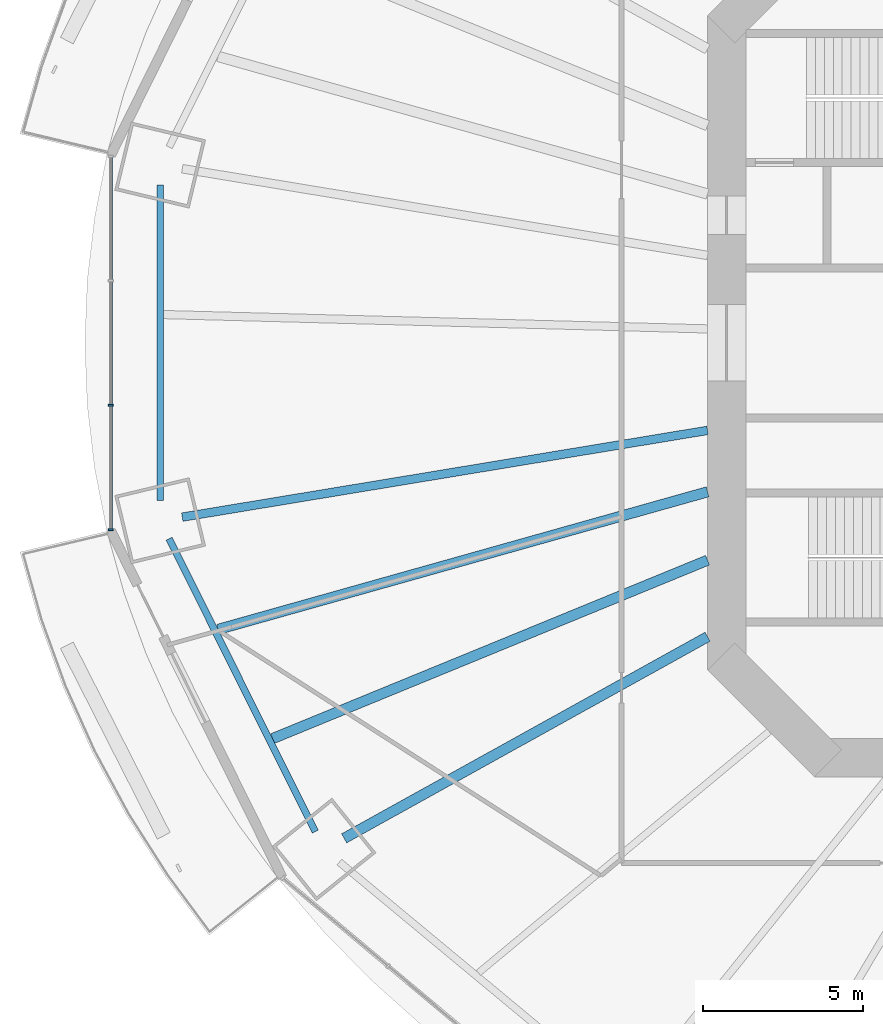
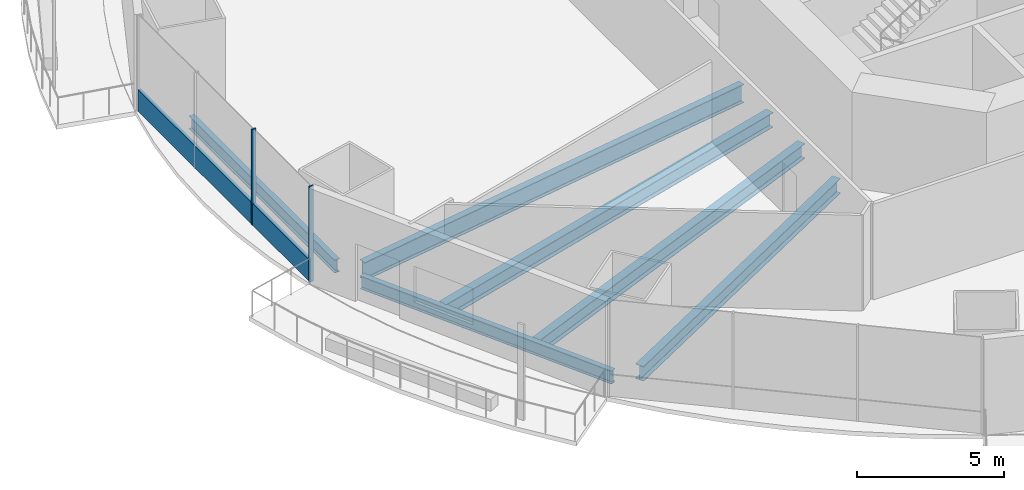
# One storey, part 3 of 23: 6 beams, 3 members, 1 element without a shape of its own.
"""IFC4 building model written with IfcOpenShell, lengths in metres."""

import ifcopenshell
import ifcopenshell.guid

model = None  # the IFC model being written
_history = None  # IfcOwnerHistory: only IFC2X3 demands one
_inside = {}  # id of a spatial element -> (the spatial element, [elements in it])
_under = {}  # id of a project, library or spatial element -> (it, [spatial elements below it])
_declared = {}  # id of a project -> (the project, [libraries it declares])
_typed = {}  # id of a type object -> (the type object, [elements of that type])
_made_of = {}  # id of a material, layer set ... -> (it, [elements and type objects made of it])


def new_model(schema):
    """Start an empty IFC model of exactly this schema.

    Asked for "IFC4X3", IfcOpenShell would pick the latest addendum, in which some entities
    have other attributes; the version numbers below select the first issue.
    IFC2X3 requires an IfcOwnerHistory on every rooted entity: one is made here for all.
    """
    global model, _history
    if schema == "IFC4X3":
        model = ifcopenshell.file(schema_version=(4, 3, 0, 0))
    else:
        model = ifcopenshell.file(schema=schema)
    _inside.clear()
    _under.clear()
    _declared.clear()
    _typed.clear()
    _made_of.clear()
    _history = None
    if model.schema == "IFC2X3":
        org = make("IfcOrganization", Name="unknown")
        user = make(
            "IfcPersonAndOrganization",
            ThePerson=make("IfcPerson", FamilyName="unknown"),
            TheOrganization=org,
        )
        app = make(
            "IfcApplication",
            ApplicationDeveloper=org,
            Version="unknown",
            ApplicationFullName="unknown",
            ApplicationIdentifier="unknown",
        )
        _history = make(
            "IfcOwnerHistory",
            OwningUser=user,
            OwningApplication=app,
            ChangeAction="ADDED",
            CreationDate=0,
        )
    return model


def make(cls, **values):
    """One entity of the class cls with the attributes given. An attribute that is None is left unset."""
    return model.create_entity(
        cls, **{name: value for name, value in values.items() if value is not None}
    )


def rooted(cls, **values):
    """An entity with a GlobalId (a new one), such as an element, a storey or a relation."""
    return make(cls, GlobalId=ifcopenshell.guid.new(), OwnerHistory=_history, **values)


def si_unit(unit_type, name, prefix=None):
    """IfcSIUnit, for example si_unit("LENGTHUNIT", "METRE", prefix="MILLI")."""
    return make("IfcSIUnit", UnitType=unit_type, Prefix=prefix, Name=name)


def assignment(units):
    """IfcUnitAssignment: the units of a project."""
    return None if units is None else make("IfcUnitAssignment", Units=units)


def point(xyz):
    """IfcCartesianPoint."""
    return None if xyz is None else make("IfcCartesianPoint", Coordinates=xyz)


def direction(xyz):
    """IfcDirection."""
    return None if xyz is None else make("IfcDirection", DirectionRatios=xyz)


def frame(location, z_axis=None, x_axis=None):
    """IfcAxis2Placement3D, a coordinate frame: its origin and axes. An axis left out is left unset."""
    return make(
        "IfcAxis2Placement3D",
        Location=point(location),
        Axis=direction(z_axis),
        RefDirection=direction(x_axis),
    )


def frame_2d(location, x_axis=None):
    """IfcAxis2Placement2D, a coordinate frame in the plane: its origin and x axis."""
    return make(
        "IfcAxis2Placement2D", Location=point(location), RefDirection=direction(x_axis)
    )


def origin():
    """The frame at (0, 0, 0) with its axes left unset."""
    return frame((0.0, 0.0, 0.0))


def origin_2d():
    """The frame at (0, 0) in the plane with its x axis left unset."""
    return frame_2d((0.0, 0.0))


def place(relative_to, where):
    """IfcLocalPlacement: puts the frame where relative to a parent placement (None: the world)."""
    return make(
        "IfcLocalPlacement", PlacementRelTo=relative_to, RelativePlacement=where
    )


def context(
    kind, dimensions, precision=None, world=None, true_north=None, identifier=None
):
    """IfcGeometricRepresentationContext, for example the 3D "Model" context."""
    return make(
        "IfcGeometricRepresentationContext",
        ContextIdentifier=identifier,
        ContextType=kind,
        CoordinateSpaceDimension=dimensions,
        Precision=precision,
        WorldCoordinateSystem=world,
        TrueNorth=true_north,
    )


def subcontext(parent, identifier, kind, view, scale=None):
    """IfcGeometricRepresentationSubContext, for example "Body" below "Model"."""
    return make(
        "IfcGeometricRepresentationSubContext",
        ContextIdentifier=identifier,
        ContextType=kind,
        ParentContext=parent,
        TargetScale=scale,
        TargetView=view,
    )


def project(units=None, contexts=None):
    """IfcProject with its units and contexts."""
    return rooted(
        "IfcProject",
        Name="project",
        RepresentationContexts=contexts,
        UnitsInContext=assignment(units),
    )


def spatial(cls, under=None, at=None, **own):
    """A site, building, storey or space (cls), placed at a placement, below another one or the project."""
    s = rooted(cls, ObjectPlacement=at, **own)
    if under is not None:
        _under.setdefault(under.id(), (under, []))[1].append(s)
    return s


def profile(cls, at=None, kind="AREA", **sizes):
    """A parametric profile (cls). Its sizes go by their IFC names, for example OverallWidth=200.0."""
    return make(cls, ProfileType=kind, Position=at, **sizes)


def rectangle(**sizes):
    """IfcRectangleProfileDef."""
    return profile("IfcRectangleProfileDef", **sizes)


def i_section(**sizes):
    """IfcIShapeProfileDef."""
    return profile("IfcIShapeProfileDef", **sizes)


def extrude(swept, where, along, depth):
    """IfcExtrudedAreaSolid: the profile swept, set in the frame where, extruded along a direction by depth."""
    return make(
        "IfcExtrudedAreaSolid",
        SweptArea=swept,
        Position=where,
        ExtrudedDirection=direction(along),
        Depth=depth,
    )


def shape(context_of_items, identifier, shape_type, items):
    """IfcShapeRepresentation: the items that make up one representation, for example the "Body"."""
    return make(
        "IfcShapeRepresentation",
        ContextOfItems=context_of_items,
        RepresentationIdentifier=identifier,
        RepresentationType=shape_type,
        Items=items,
    )


def material(Name=None, Category=None):
    """IfcMaterial."""
    return make("IfcMaterial", Name=Name, Category=Category)


def material_profile(
    of_material, cross_section, Name=None, Category=None, Priority=None
):
    """IfcMaterialProfile: a cross section and its material."""
    return make(
        "IfcMaterialProfile",
        Name=Name,
        Material=of_material,
        Profile=cross_section,
        Priority=Priority,
        Category=Category,
    )


def profile_set(profiles, Name=None, composite=None):
    """IfcMaterialProfileSet."""
    return make(
        "IfcMaterialProfileSet",
        Name=Name,
        MaterialProfiles=profiles,
        CompositeProfile=composite,
    )


def made_of(thing, what):
    """Note that an element or type object is made of a material, layer set ...; save() writes the relation."""
    if what is not None:
        _made_of.setdefault(what.id(), (what, []))[1].append(thing)
    return thing


def type_object(cls, material=None, **own):
    """A type object (cls), such as IfcWallType, which elements share."""
    return made_of(rooted(cls, **own), material)


def element(
    cls,
    number,
    at=None,
    inside=None,
    cuts=None,
    type_object=None,
    material=None,
    context=None,
    identifier="Body",
    shape_type=None,
    held_by="IfcProductDefinitionShape",
    body=None,
    shapes=None,
    **own,
):
    """One element of the class cls, such as IfcWall. Its Tag is "e" and its number.

    at: its placement. inside: the storey or other place that contains it. cuts: it is an
    opening in that element (IfcRelVoidsElement). A single representation is given by context,
    identifier, shape_type and body (its items); several are given by shapes. held_by: the class
    of the entity that holds the representations. save() writes the other relations.
    """
    e = rooted(cls, Tag="e%d" % number, ObjectPlacement=at, **own)
    if body is not None:
        shapes = [shape(context, identifier, shape_type, body)]
    if shapes is not None:
        e.Representation = make(held_by, Representations=shapes)
    if inside is not None:
        _inside.setdefault(inside.id(), (inside, []))[1].append(e)
    if cuts is not None:
        rooted(
            "IfcRelVoidsElement", RelatingBuildingElement=cuts, RelatedOpeningElement=e
        )
    if type_object is not None:
        _typed.setdefault(type_object.id(), (type_object, []))[1].append(e)
    return made_of(e, material)


def aggregate(whole, parts):
    """IfcRelAggregates: a whole, such as a stair, and the parts it consists of."""
    return rooted("IfcRelAggregates", RelatingObject=whole, RelatedObjects=parts)


def save(model, path):
    """Write the relations noted so far, then the file.

    IfcRelAggregates (storeys below a building ...), IfcRelContainedInSpatialStructure (elements
    in a storey), IfcRelDefinesByType, IfcRelAssociatesMaterial and IfcRelDeclares: one each for
    every whole, place, type object, material and project.
    """
    for whole, parts in _under.values():
        aggregate(whole, parts)
    for where, things in _inside.values():
        rooted(
            "IfcRelContainedInSpatialStructure",
            RelatedElements=things,
            RelatingStructure=where,
        )
    for kind, things in _typed.values():
        rooted("IfcRelDefinesByType", RelatedObjects=things, RelatingType=kind)
    for what, things in _made_of.values():
        rooted("IfcRelAssociatesMaterial", RelatedObjects=things, RelatingMaterial=what)
    for by, libraries in _declared.values():
        rooted("IfcRelDeclares", RelatingContext=by, RelatedDefinitions=libraries)
    model.write(path)


model = new_model("IFC4")

# Units and contexts
model_context = context("Model", 3, precision=1e-05, world=origin(), true_north=direction((0.0, 1.0)))
body_context = subcontext(model_context, "Body", "Model", "MODEL_VIEW")
ifc_project = project(units=[si_unit("LENGTHUNIT", "METRE"), si_unit("AREAUNIT", "SQUARE_METRE"), si_unit("VOLUMEUNIT", "CUBIC_METRE"), si_unit("PLANEANGLEUNIT", "RADIAN"), si_unit("MASSUNIT", "GRAM", prefix="KILO")], contexts=[model_context])

# Site, building, storey
site_placement = place(None, origin())
site = spatial("IfcSite", under=ifc_project, at=site_placement, CompositionType="ELEMENT")
building_placement = place(site_placement, origin())
building = spatial("IfcBuilding", under=site, at=building_placement, Name="Marenthal Gate Tower", CompositionType="ELEMENT")
storey_placement = place(building_placement, frame((0.0, 0.0, 66.199951171875)))
storey = spatial("IfcBuildingStorey", under=building, at=storey_placement, Name="L12", CompositionType="ELEMENT", Elevation=66.199951171875)

# Curtain wall, members
ifc_material_1 = material(Name="Aluminium and glass", Category="aluminium")
curtain_wall_type = type_object("IfcCurtainWallType", Name="Curtain wall typical low", PredefinedType="NOTDEFINED", material=ifc_material_1)
curtain_wall_placement = place(storey_placement, origin())
curtain_wall = element("IfcCurtainWall", 1, at=curtain_wall_placement, inside=storey, type_object=curtain_wall_type, Name="Curtain wall L12 bay 8", PredefinedType="NOTDEFINED")
ifc_material_2 = material(Name="Aluminium", Category="aluminium")
ifc_material_profile_1 = material_profile(ifc_material_2, rectangle(XDim=0.159912109375, YDim=0.06005859375, at=origin_2d()), Name="60x160 aluminium mullion")
ifc_profile_set_1 = profile_set([ifc_material_profile_1], Name="Aluminium")
member_type_1 = type_object("IfcMemberType", Name="Mullion 60x160 typical low", PredefinedType="MULLION", material=ifc_profile_set_1)
member_1_placement = place(storey_placement, frame((-35.303466796875, -1.95068359375, 0.0), z_axis=(0.0, 0.0, 1.0), x_axis=(1.0, 0.0, 0.0)))
member_1 = element("IfcMember", 2, at=member_1_placement, type_object=member_type_1, Name="Mullion L12 bay 8.3", PredefinedType="MULLION", context=body_context, shape_type="SweptSolid", body=[
    extrude(rectangle(XDim=0.159912109375, YDim=0.06005859375, at=origin_2d()), origin(), (0.0, 0.0, 1.0), 3.969970703125),
])
member_2_placement = place(storey_placement, frame((-35.303466796875, -5.851806640625, 0.0), z_axis=(0.0, 0.0, 1.0), x_axis=(1.0, 0.0, 0.0)))
member_2 = element("IfcMember", 3, at=member_2_placement, type_object=member_type_1, Name="Mullion L12 bay 8.4", PredefinedType="MULLION", context=body_context, shape_type="SweptSolid", body=[
    extrude(rectangle(XDim=0.159912109375, YDim=0.06005859375, at=origin_2d()), origin(), (0.0, 0.0, 1.0), 3.969970703125),
])
ifc_material_3 = material(Name="Aluminium", Category="aluminium")
ifc_material_profile_2 = material_profile(ifc_material_3, rectangle(XDim=0.1201171875, YDim=0.89990234375, at=origin_2d()), Name="120x900 aluminium transom")
ifc_profile_set_2 = profile_set([ifc_material_profile_2], Name="Aluminium")
member_type_2 = type_object("IfcMemberType", Name="Transom 120x900 typical low", PredefinedType="USERDEFINED", material=ifc_profile_set_2)
member_3_placement = place(storey_placement, frame((-35.303466796875, 5.82177734375, 0.449951171875), z_axis=(0.0, -1.0, 0.0), x_axis=(1.0, 0.0, 0.0)))
member_3 = element("IfcMember", 4, at=member_3_placement, type_object=member_type_2, Name="Transom L12 bay 8", ObjectType="TRANSOM", PredefinedType="USERDEFINED", context=body_context, shape_type="SweptSolid", body=[
    extrude(rectangle(XDim=0.1201171875, YDim=0.89990234375, at=origin_2d()), origin(), (0.0, 0.0, 1.0), 11.6435546875),
])
aggregate(curtain_wall, [member_1, member_2, member_3])

# Beams
ifc_material_4 = material(Name="Steel S355", Category="steel")
ifc_material_profile_3 = material_profile(ifc_material_4, i_section(OverallWidth=0.2119140625, OverallDepth=0.5439453125, WebThickness=0.01318359375, FlangeThickness=0.021240234375, FilletRadius=0.0126953125, at=origin_2d()), Name="W530X123")
ifc_profile_set_3 = profile_set([ifc_material_profile_3], Name="Steel S355")
beam_type_1 = type_object("IfcBeamType", Name="W530X123 beam", PredefinedType="BEAM", material=ifc_profile_set_3)
beam_1_placement = place(storey_placement, frame((-33.753662109375, 4.9423828125, -0.451904296875), z_axis=(0.0, -1.0, 0.0), x_axis=(1.0, 0.0, 0.0)))
element("IfcBeam", 5, at=beam_1_placement, inside=storey, type_object=beam_type_1, Name="BM-L12-48", PredefinedType="BEAM", context=body_context, shape_type="SweptSolid", body=[
    extrude(i_section(OverallWidth=0.2119140625, OverallDepth=0.5439453125, WebThickness=0.01318359375, FlangeThickness=0.021240234375, FilletRadius=0.0126953125, at=origin_2d()), origin(), (0.0, 0.0, 1.0), 9.884765625),
])
beam_2_placement = place(storey_placement, frame((-33.472900390625, -6.136474609375, -0.451904296875), z_axis=(0.446499206551, -0.894784028998, 0.0), x_axis=(0.894784028998, 0.446499206551, 0.0)))
element("IfcBeam", 6, at=beam_2_placement, inside=storey, type_object=beam_type_1, Name="BM-L12-49", PredefinedType="BEAM", context=body_context, shape_type="SweptSolid", body=[
    extrude(i_section(OverallWidth=0.2119140625, OverallDepth=0.5439453125, WebThickness=0.01318359375, FlangeThickness=0.021240234375, FilletRadius=0.0126953125, at=origin_2d()), origin(), (0.0, 0.0, 1.0), 10.25439453125),
])
ifc_material_5 = material(Name="Steel S355", Category="steel")
ifc_material_profile_4 = material_profile(ifc_material_5, i_section(OverallWidth=0.324951171875, OverallDepth=0.612060546875, WebThickness=0.0126953125, FlangeThickness=0.01904296875, FilletRadius=0.0126953125, at=origin_2d()), Name="W610X155")
ifc_profile_set_4 = profile_set([ifc_material_profile_4], Name="Steel S355")
beam_type_2 = type_object("IfcBeamType", Name="W610X155 beam", PredefinedType="BEAM", material=ifc_profile_set_4)
beam_3_placement = place(storey_placement, frame((-27.9873046875, -15.52392578125, -0.48583984375), z_axis=(0.874477229212, 0.485066568204, 0.0), x_axis=(-0.485066568204, 0.874477229212, 0.0)))
element("IfcBeam", 7, at=beam_3_placement, inside=storey, type_object=beam_type_2, Name="BM-L12-10", PredefinedType="BEAM", context=body_context, shape_type="SweptSolid", body=[
    extrude(i_section(OverallWidth=0.324951171875, OverallDepth=0.612060546875, WebThickness=0.0126953125, FlangeThickness=0.01904296875, FilletRadius=0.0126953125, at=origin_2d()), origin(), (0.0, 0.0, 1.0), 13.021728515625),
])
beam_4_placement = place(storey_placement, frame((-31.93701171875, -8.977294921875, -0.48583984375), z_axis=(0.962687377479, 0.270615988521, 0.0), x_axis=(-0.270615988521, 0.962687377479, 0.0)))
element("IfcBeam", 8, at=beam_4_placement, inside=storey, type_object=beam_type_2, Name="BM-L12-29", PredefinedType="BEAM", context=body_context, shape_type="SweptSolid", body=[
    extrude(i_section(OverallWidth=0.324951171875, OverallDepth=0.612060546875, WebThickness=0.0126953125, FlangeThickness=0.01904296875, FilletRadius=0.0126953125, at=origin_2d()), origin(), (0.0, 0.0, 1.0), 15.931396484375),
])
beam_5_placement = place(storey_placement, frame((-30.2294921875, -12.39892578125, -0.48583984375), z_axis=(0.925197564596, 0.379485792178, 0.0), x_axis=(-0.379485792178, 0.925197564596, 0.0)))
element("IfcBeam", 9, at=beam_5_placement, inside=storey, type_object=beam_type_2, Name="BM-L12-30", PredefinedType="BEAM", context=body_context, shape_type="SweptSolid", body=[
    extrude(i_section(OverallWidth=0.324951171875, OverallDepth=0.612060546875, WebThickness=0.0126953125, FlangeThickness=0.01904296875, FilletRadius=0.0126953125, at=origin_2d()), origin(), (0.0, 0.0, 1.0), 14.7314453125),
])
ifc_material_6 = material(Name="Steel S355", Category="steel")
ifc_material_profile_5 = material_profile(ifc_material_6, i_section(OverallWidth=0.26708984375, OverallDepth=0.761962890625, WebThickness=0.014404296875, FlangeThickness=0.021484375, FilletRadius=0.0166015625, at=origin_2d()), Name="W760X173")
ifc_profile_set_5 = profile_set([ifc_material_profile_5], Name="Steel S355")
beam_type_3 = type_object("IfcBeamType", Name="W760X173 beam", PredefinedType="BEAM", material=ifc_profile_set_5)
beam_6_placement = place(storey_placement, frame((-33.06005859375, -5.458984375, -0.56103515625), z_axis=(0.986638832435, 0.16292272503, 0.0), x_axis=(-0.16292272503, 0.986638832435, 0.0)))
element("IfcBeam", 10, at=beam_6_placement, inside=storey, type_object=beam_type_3, Name="BM-L12-09", PredefinedType="BEAM", context=body_context, shape_type="SweptSolid", body=[
    extrude(i_section(OverallWidth=0.26708984375, OverallDepth=0.761962890625, WebThickness=0.014404296875, FlangeThickness=0.021484375, FilletRadius=0.0166015625, at=origin_2d()), origin(), (0.0, 0.0, 1.0), 16.682861328125),
])

save(model, "model.ifc")
